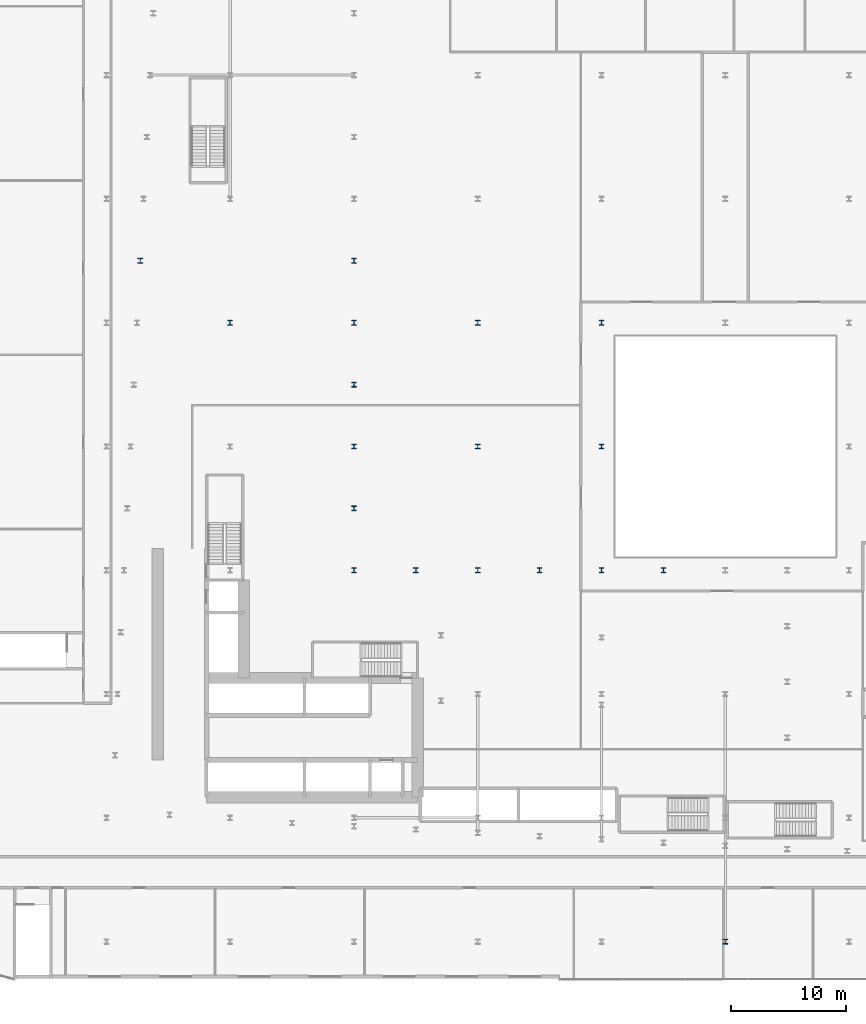
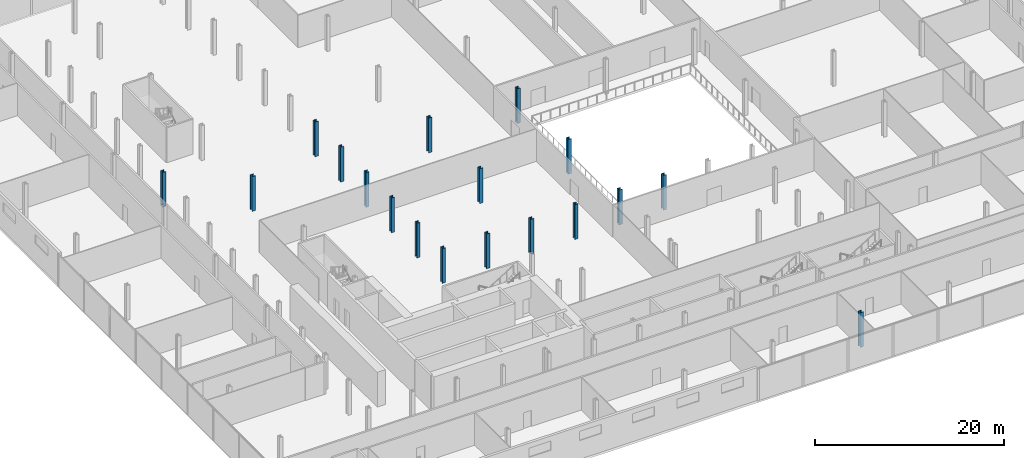
# One storey, part 2 of 43: 18 columns.
"""IFC4 building model written with IfcOpenShell, lengths in metres."""

from ifc_helpers import new_model, si_unit, direction, frame, origin, origin_2d, place, context, subcontext, project, spatial, i_section, extrude, material, material_profile, profile_set, type_object, element, save


model = new_model("IFC4")

# Units and contexts
model_context = context("Model", 3, precision=1e-05, world=origin(), true_north=direction((0.0, 1.0)))
body_context = subcontext(model_context, "Body", "Model", "MODEL_VIEW")
ifc_project = project(units=[si_unit("LENGTHUNIT", "METRE"), si_unit("AREAUNIT", "SQUARE_METRE"), si_unit("VOLUMEUNIT", "CUBIC_METRE"), si_unit("PLANEANGLEUNIT", "RADIAN"), si_unit("MASSUNIT", "GRAM", prefix="KILO")], contexts=[model_context])

# Site, building, storey
site_placement = place(None, origin())
site = spatial("IfcSite", under=ifc_project, at=site_placement, CompositionType="ELEMENT")
building_placement = place(site_placement, origin())
building = spatial("IfcBuilding", under=site, at=building_placement, Name="Kheshtan School and Residences Tower", CompositionType="ELEMENT")
storey_placement = place(building_placement, frame((0.0, 0.0, 26.0)))
storey = spatial("IfcBuildingStorey", under=building, at=storey_placement, Name="L05", CompositionType="ELEMENT", Elevation=26.0)

# Columns
ifc_material = material(Name="Steel ASTM A992 Grade 50", Category="steel")
ifc_material_profile = material_profile(ifc_material, i_section(OverallWidth=0.408935546875, OverallDepth=0.425048828125, WebThickness=0.03271484375, FlangeThickness=0.052490234375, FilletRadius=0.0126953125, at=origin_2d()), Name="W360x421")
ifc_profile_set = profile_set([ifc_material_profile], Name="Steel ASTM A992 Grade 50")
column_type = type_object("IfcColumnType", Name="Column PC2 W360x421 ASTM A992 Grade 50", PredefinedType="COLUMN", material=ifc_profile_set)
for number, where, z_axis, x_axis, name in (
    (1, (80.0, 13.199951171875, 0.0), (0.0, 0.0, 1.0), (1.0, 0.0, 0.0), "Column P-007"),
    (2, (47.60009765625, 45.60009765625, 0.0), (0.0, 0.0, 1.0), (1.0, 0.0, 0.0), "Column P-040"),
    (3, (58.39990234375, 45.60009765625, 0.0), (0.0, 0.0, 1.0), (1.0, 0.0, 0.0), "Column P-041"),
    (4, (69.199951171875, 45.60009765625, 0.0), (0.0, 0.0, 1.0), (1.0, 0.0, 0.0), "Column P-042"),
    (5, (47.60009765625, 56.39990234375, 0.0), (0.0, 0.0, 1.0), (1.0, 0.0, 0.0), "Column P-052"),
    (6, (58.39990234375, 56.39990234375, 0.0), (0.0, 0.0, 1.0), (1.0, 0.0, 0.0), "Column P-053"),
    (7, (69.199951171875, 56.39990234375, 0.0), (0.0, 0.0, 1.0), (1.0, 0.0, 0.0), "Column P-054"),
    (8, (36.800048828125, 67.199951171875, 0.0), (0.0, 0.0, 1.0), (1.0, 0.0, 0.0), "Column P-063"),
    (9, (47.60009765625, 67.199951171875, 0.0), (0.0, 0.0, 1.0), (1.0, 0.0, 0.0), "Column P-064"),
    (10, (58.39990234375, 67.199951171875, 0.0), (0.0, 0.0, 1.0), (1.0, 0.0, 0.0), "Column P-065"),
    (11, (69.199951171875, 67.199951171875, 0.0), (0.0, 0.0, 1.0), (1.0, 0.0, 0.0), "Column P-066"),
    (12, (53.0, 45.60009765625, 0.0), (0.0, 0.0, 1.0), (1.0, 0.0, 0.0), "Transfer column X16"),
    (13, (63.800048828125, 45.60009765625, 0.0), (0.0, 0.0, 1.0), (1.0, 0.0, 0.0), "Transfer column X17"),
    (14, (74.60009765625, 45.60009765625, 0.0), (0.0, 0.0, 1.0), (1.0, 0.0, 0.0), "Transfer column X18"),
    (15, (47.60009765625, 51.0, 0.0), (0.0, 0.0, 1.0), (1.0, 0.0, 0.0), "Transfer column X21"),
    (16, (47.60009765625, 61.800048828125, 0.0), (0.0, 0.0, 1.0), (1.0, 0.0, 0.0), "Transfer column X24"),
    (17, (28.9599609375, 72.60009765625, 0.0), (0.0, 0.0, 1.0), (1.0, 0.0, 0.0), "Transfer column X26"),
    (18, (47.60009765625, 72.60009765625, 0.0), (0.0, 0.0, 1.0), (1.0, 0.0, 0.0), "Transfer column X27"),
):
    element("IfcColumn", number, at=place(storey_placement, frame(where, z_axis=z_axis, x_axis=x_axis)), inside=storey, type_object=column_type, Name=name, PredefinedType="COLUMN", context=body_context, shape_type="SweptSolid", body=[
        extrude(i_section(OverallWidth=0.408935546875, OverallDepth=0.425048828125, WebThickness=0.03271484375, FlangeThickness=0.052490234375, FilletRadius=0.0126953125, at=origin_2d()), origin(), (0.0, 0.0, 1.0), 4.5),
    ])

save(model, "model.ifc")
